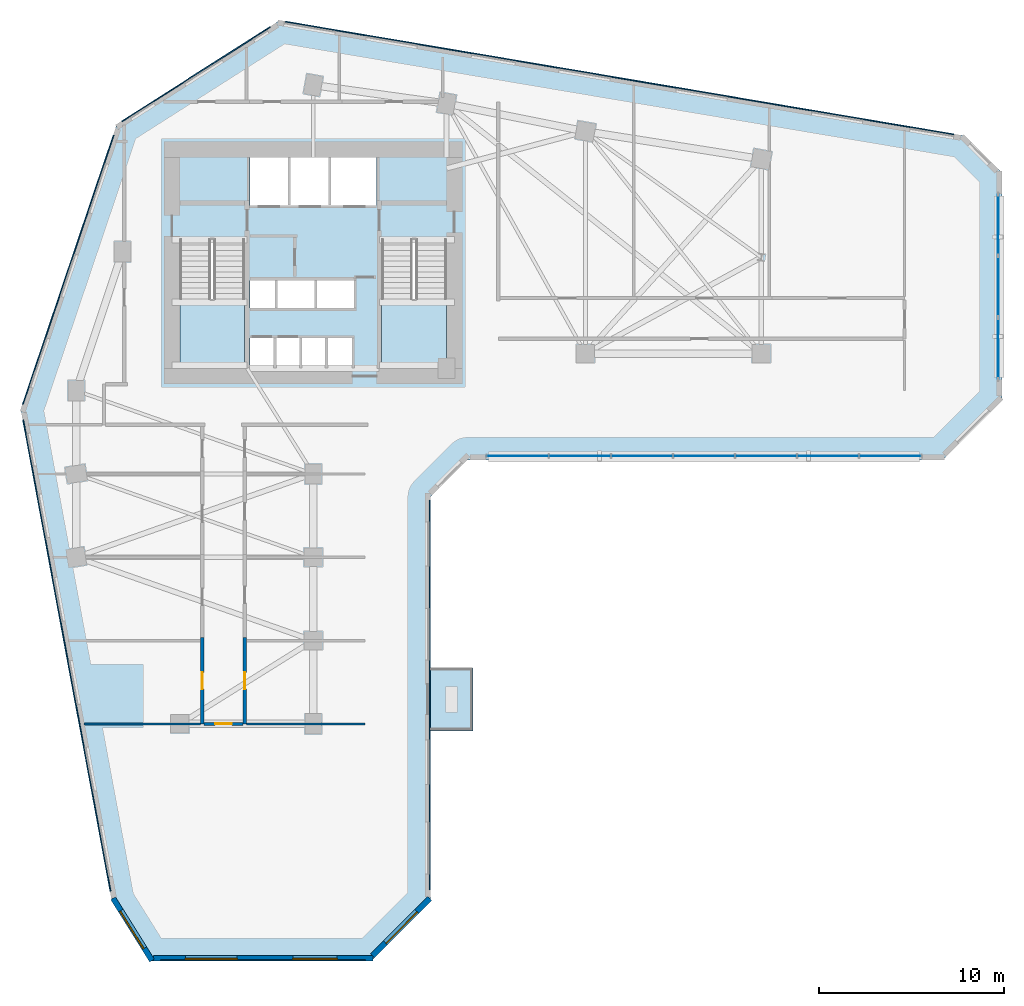
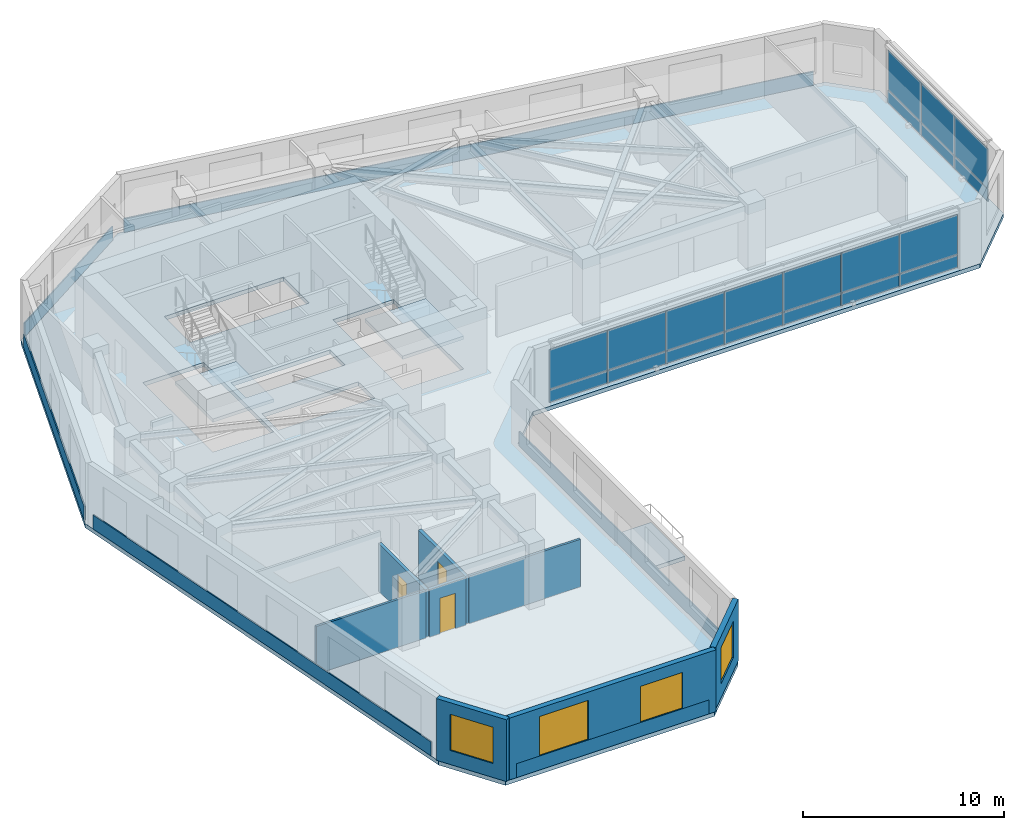
# One storey, part 5 of 12: 26 plates, 8 walls, 4 slabs, 4 windows, 3 doors, 7 openings, 4 elements without a shape of their own.
"""IFC4 building model written with IfcOpenShell, lengths in metres."""

from ifc_helpers import new_model, si_unit, direction, frame, frame_2d, origin, place, context, subcontext, project, spatial, polyline, rectangle, outline, extrude, source, transform, mapped, material, layer, layer_set, type_object, element, fill, aggregate, save


model = new_model("IFC4")

# Units and contexts
model_context = context("Model", 3, precision=1e-05, world=origin(), true_north=direction((0.0, 1.0)))
body_context = subcontext(model_context, "Body", "Model", "MODEL_VIEW")
ifc_project = project(units=[si_unit("LENGTHUNIT", "METRE"), si_unit("AREAUNIT", "SQUARE_METRE"), si_unit("VOLUMEUNIT", "CUBIC_METRE"), si_unit("PLANEANGLEUNIT", "RADIAN"), si_unit("MASSUNIT", "GRAM", prefix="KILO")], contexts=[model_context])

# Site, building, storey
site_placement = place(None, origin())
site = spatial("IfcSite", under=ifc_project, at=site_placement, CompositionType="ELEMENT")
building_placement = place(site_placement, origin())
building = spatial("IfcBuilding", under=site, at=building_placement, Name="Calvemar Wedge Station Tower", CompositionType="ELEMENT")
storey_placement = place(building_placement, frame((0.0, 0.0, 51.0)))
storey = spatial("IfcBuildingStorey", under=building, at=storey_placement, Name="L12", CompositionType="ELEMENT", Elevation=51.0)

# Curtain wall, plates
ifc_material_1 = material(Name="Anodised aluminium 6063-T6", Category="aluminium")
curtain_wall_type = type_object("IfcCurtainWallType", Name="CW1", PredefinedType="NOTDEFINED", material=ifc_material_1)
curtain_wall_1_placement = place(storey_placement, origin())
curtain_wall_1 = element("IfcCurtainWall", 1, at=curtain_wall_1_placement, inside=storey, type_object=curtain_wall_type, Name="Storey L12 CW1 Recessed Unitised Curtain Wall 6", PredefinedType="NOTDEFINED")
ifc_material_2 = material(Name="Low-E laminated insulated glass", Category="glass")
ifc_layer_1 = layer(ifc_material_2, 0.028076171875)
ifc_layer_set_1 = layer_set([ifc_layer_1], Name="Low-E laminated insulated glass")
plate_type_1 = type_object("IfcPlateType", Name="CW1-GLZ", PredefinedType="CURTAIN_PANEL", material=ifc_layer_set_1)
plate_1_placement = place(storey_placement, frame((33.183837890625, 29.469970703125, 0.8701171875), z_axis=(0.0, 0.0, 1.0), x_axis=(1.0, 0.0, 0.0)))
plate_1 = element("IfcPlate", 2, at=plate_1_placement, type_object=plate_type_1, Name="CW1 vision glass panel 1", PredefinedType="CURTAIN_PANEL", context=body_context, shape_type="SweptSolid", body=[
    extrude(rectangle(XDim=3.317138671875, YDim=0.028076171875, at=frame_2d((1.65869140625, 0.0))), origin(), (0.0, 0.0, 1.0), 2.409912109375),
])
plate_2_placement = place(storey_placement, frame((36.537109375, 29.469970703125, 0.8701171875), z_axis=(0.0, 0.0, 1.0), x_axis=(1.0, 0.0, 0.0)))
plate_2 = element("IfcPlate", 3, at=plate_2_placement, type_object=plate_type_1, Name="CW1 vision glass panel 2", PredefinedType="CURTAIN_PANEL", context=body_context, shape_type="SweptSolid", body=[
    extrude(rectangle(XDim=3.317138671875, YDim=0.028076171875, at=frame_2d((1.65869140625, 0.0))), origin(), (0.0, 0.0, 1.0), 2.409912109375),
])
plate_3_placement = place(storey_placement, frame((39.89013671875, 29.469970703125, 0.8701171875), z_axis=(0.0, 0.0, 1.0), x_axis=(1.0, 0.0, 0.0)))
plate_3 = element("IfcPlate", 4, at=plate_3_placement, type_object=plate_type_1, Name="CW1 vision glass panel 3", PredefinedType="CURTAIN_PANEL", context=body_context, shape_type="SweptSolid", body=[
    extrude(rectangle(XDim=3.317138671875, YDim=0.028076171875, at=frame_2d((1.65869140625, 0.0))), origin(), (0.0, 0.0, 1.0), 2.409912109375),
])
plate_4_placement = place(storey_placement, frame((43.243408203125, 29.469970703125, 0.8701171875), z_axis=(0.0, 0.0, 1.0), x_axis=(1.0, 0.0, 0.0)))
plate_4 = element("IfcPlate", 5, at=plate_4_placement, type_object=plate_type_1, Name="CW1 vision glass panel 4", PredefinedType="CURTAIN_PANEL", context=body_context, shape_type="SweptSolid", body=[
    extrude(rectangle(XDim=3.317138671875, YDim=0.028076171875, at=frame_2d((1.65869140625, 0.0))), origin(), (0.0, 0.0, 1.0), 2.409912109375),
])
plate_5_placement = place(storey_placement, frame((46.596435546875, 29.469970703125, 0.8701171875), z_axis=(0.0, 0.0, 1.0), x_axis=(1.0, 0.0, 0.0)))
plate_5 = element("IfcPlate", 6, at=plate_5_placement, type_object=plate_type_1, Name="CW1 vision glass panel 5", PredefinedType="CURTAIN_PANEL", context=body_context, shape_type="SweptSolid", body=[
    extrude(rectangle(XDim=3.317138671875, YDim=0.028076171875, at=frame_2d((1.65869140625, 0.0))), origin(), (0.0, 0.0, 1.0), 2.409912109375),
])
plate_6_placement = place(storey_placement, frame((49.94970703125, 29.469970703125, 0.8701171875), z_axis=(0.0, 0.0, 1.0), x_axis=(1.0, 0.0, 0.0)))
plate_6 = element("IfcPlate", 7, at=plate_6_placement, type_object=plate_type_1, Name="CW1 vision glass panel 6", PredefinedType="CURTAIN_PANEL", context=body_context, shape_type="SweptSolid", body=[
    extrude(rectangle(XDim=3.317138671875, YDim=0.028076171875, at=frame_2d((1.65869140625, 0.0))), origin(), (0.0, 0.0, 1.0), 2.409912109375),
])
plate_7_placement = place(storey_placement, frame((53.302734375, 29.469970703125, 0.8701171875), z_axis=(0.0, 0.0, 1.0), x_axis=(1.0, 0.0, 0.0)))
plate_7 = element("IfcPlate", 8, at=plate_7_placement, type_object=plate_type_1, Name="CW1 vision glass panel 7", PredefinedType="CURTAIN_PANEL", context=body_context, shape_type="SweptSolid", body=[
    extrude(rectangle(XDim=3.317138671875, YDim=0.028076171875, at=frame_2d((1.65869140625, 0.0))), origin(), (0.0, 0.0, 1.0), 2.409912109375),
])

curtain_wall_2_placement = place(storey_placement, origin())
curtain_wall_2 = element("IfcCurtainWall", 9, at=curtain_wall_2_placement, inside=storey, type_object=curtain_wall_type, Name="Storey L12 CW1 Recessed Unitised Curtain Wall 8", PredefinedType="NOTDEFINED")
plate_8_placement = place(storey_placement, frame((60.7900390625, 33.64013671875, 0.8701171875), z_axis=(0.0, 0.0, 1.0), x_axis=(0.0, 1.0, 0.0)))
plate_8 = element("IfcPlate", 10, at=plate_8_placement, type_object=plate_type_1, Name="CW1 vision glass panel 1", PredefinedType="CURTAIN_PANEL", context=body_context, shape_type="SweptSolid", body=[
    extrude(rectangle(XDim=3.289306640625, YDim=0.028076171875, at=frame_2d((1.64453125, 0.0))), origin(), (0.0, 0.0, 1.0), 2.409912109375),
])
plate_9_placement = place(storey_placement, frame((60.7900390625, 36.96533203125, 0.8701171875), z_axis=(0.0, 0.0, 1.0), x_axis=(0.0, 1.0, 0.0)))
plate_9 = element("IfcPlate", 11, at=plate_9_placement, type_object=plate_type_1, Name="CW1 vision glass panel 2", PredefinedType="CURTAIN_PANEL", context=body_context, shape_type="SweptSolid", body=[
    extrude(rectangle(XDim=3.289306640625, YDim=0.028076171875, at=frame_2d((1.64453125, 0.0))), origin(), (0.0, 0.0, 1.0), 2.409912109375),
])
plate_10_placement = place(storey_placement, frame((60.7900390625, 40.29052734375, 0.8701171875), z_axis=(0.0, 0.0, 1.0), x_axis=(0.0, 1.0, 0.0)))
plate_10 = element("IfcPlate", 12, at=plate_10_placement, type_object=plate_type_1, Name="CW1 vision glass panel 3", PredefinedType="CURTAIN_PANEL", context=body_context, shape_type="SweptSolid", body=[
    extrude(rectangle(XDim=3.289306640625, YDim=0.028076171875, at=frame_2d((1.64453125, 0.0))), origin(), (0.0, 0.0, 1.0), 2.409912109375),
])

# Plate
ifc_material_3 = material(Name="Oxidized bronze aluminium spandrel panel 5005-H24", Category="aluminium")
ifc_layer_2 = layer(ifc_material_3, 0.0400390625)
ifc_layer_set_2 = layer_set([ifc_layer_2], Name="Oxidized bronze aluminium spandrel panel 5005-H24")
plate_type_2 = type_object("IfcPlateType", Name="CW1-SPD", PredefinedType="SHEET", material=ifc_layer_set_2)
plate_11_placement = place(storey_placement, frame((33.183837890625, 29.469970703125, 0.080078125), z_axis=(0.0, 0.0, 1.0), x_axis=(1.0, 0.0, 0.0)))
plate_11 = element("IfcPlate", 13, at=plate_11_placement, type_object=plate_type_2, Name="CW1 bronze spandrel panel 1", PredefinedType="SHEET", context=body_context, shape_type="SweptSolid", body=[
    extrude(rectangle(XDim=3.317138671875, YDim=0.0400390625, at=frame_2d((1.65869140625, 0.0))), origin(), (0.0, 0.0, 1.0), 0.75),
])

plate_12_placement = place(storey_placement, frame((36.537109375, 29.469970703125, 0.080078125), z_axis=(0.0, 0.0, 1.0), x_axis=(1.0, 0.0, 0.0)))
plate_12 = element("IfcPlate", 14, at=plate_12_placement, type_object=plate_type_2, Name="CW1 bronze spandrel panel 2", PredefinedType="SHEET", context=body_context, shape_type="SweptSolid", body=[
    extrude(rectangle(XDim=3.317138671875, YDim=0.0400390625, at=frame_2d((1.65869140625, 0.0))), origin(), (0.0, 0.0, 1.0), 0.75),
])

plate_13_placement = place(storey_placement, frame((39.89013671875, 29.469970703125, 0.080078125), z_axis=(0.0, 0.0, 1.0), x_axis=(1.0, 0.0, 0.0)))
plate_13 = element("IfcPlate", 15, at=plate_13_placement, type_object=plate_type_2, Name="CW1 bronze spandrel panel 3", PredefinedType="SHEET", context=body_context, shape_type="SweptSolid", body=[
    extrude(rectangle(XDim=3.317138671875, YDim=0.0400390625, at=frame_2d((1.65869140625, 0.0))), origin(), (0.0, 0.0, 1.0), 0.75),
])

plate_14_placement = place(storey_placement, frame((43.243408203125, 29.469970703125, 0.080078125), z_axis=(0.0, 0.0, 1.0), x_axis=(1.0, 0.0, 0.0)))
plate_14 = element("IfcPlate", 16, at=plate_14_placement, type_object=plate_type_2, Name="CW1 bronze spandrel panel 4", PredefinedType="SHEET", context=body_context, shape_type="SweptSolid", body=[
    extrude(rectangle(XDim=3.317138671875, YDim=0.0400390625, at=frame_2d((1.65869140625, 0.0))), origin(), (0.0, 0.0, 1.0), 0.75),
])

plate_15_placement = place(storey_placement, frame((46.596435546875, 29.469970703125, 0.080078125), z_axis=(0.0, 0.0, 1.0), x_axis=(1.0, 0.0, 0.0)))
plate_15 = element("IfcPlate", 17, at=plate_15_placement, type_object=plate_type_2, Name="CW1 bronze spandrel panel 5", PredefinedType="SHEET", context=body_context, shape_type="SweptSolid", body=[
    extrude(rectangle(XDim=3.317138671875, YDim=0.0400390625, at=frame_2d((1.65869140625, 0.0))), origin(), (0.0, 0.0, 1.0), 0.75),
])

plate_16_placement = place(storey_placement, frame((49.94970703125, 29.469970703125, 0.080078125), z_axis=(0.0, 0.0, 1.0), x_axis=(1.0, 0.0, 0.0)))
plate_16 = element("IfcPlate", 18, at=plate_16_placement, type_object=plate_type_2, Name="CW1 bronze spandrel panel 6", PredefinedType="SHEET", context=body_context, shape_type="SweptSolid", body=[
    extrude(rectangle(XDim=3.317138671875, YDim=0.0400390625, at=frame_2d((1.65869140625, 0.0))), origin(), (0.0, 0.0, 1.0), 0.75),
])

plate_17_placement = place(storey_placement, frame((53.302734375, 29.469970703125, 0.080078125), z_axis=(0.0, 0.0, 1.0), x_axis=(1.0, 0.0, 0.0)))
plate_17 = element("IfcPlate", 19, at=plate_17_placement, type_object=plate_type_2, Name="CW1 bronze spandrel panel 7", PredefinedType="SHEET", context=body_context, shape_type="SweptSolid", body=[
    extrude(rectangle(XDim=3.317138671875, YDim=0.0400390625, at=frame_2d((1.65869140625, 0.0))), origin(), (0.0, 0.0, 1.0), 0.75),
])

aggregate(curtain_wall_1, [plate_11, plate_1, plate_12, plate_2, plate_13, plate_3, plate_14, plate_4, plate_15, plate_5, plate_16, plate_6, plate_17, plate_7])

plate_18_placement = place(storey_placement, frame((60.7900390625, 33.64013671875, 0.080078125), z_axis=(0.0, 0.0, 1.0), x_axis=(0.0, 1.0, 0.0)))
plate_18 = element("IfcPlate", 20, at=plate_18_placement, type_object=plate_type_2, Name="CW1 bronze spandrel panel 1", PredefinedType="SHEET", context=body_context, shape_type="SweptSolid", body=[
    extrude(rectangle(XDim=3.289306640625, YDim=0.0400390625, at=frame_2d((1.64453125, 0.0))), origin(), (0.0, 0.0, 1.0), 0.75),
])

plate_19_placement = place(storey_placement, frame((60.7900390625, 36.96533203125, 0.080078125), z_axis=(0.0, 0.0, 1.0), x_axis=(0.0, 1.0, 0.0)))
plate_19 = element("IfcPlate", 21, at=plate_19_placement, type_object=plate_type_2, Name="CW1 bronze spandrel panel 2", PredefinedType="SHEET", context=body_context, shape_type="SweptSolid", body=[
    extrude(rectangle(XDim=3.289306640625, YDim=0.0400390625, at=frame_2d((1.64453125, 0.0))), origin(), (0.0, 0.0, 1.0), 0.75),
])

plate_20_placement = place(storey_placement, frame((60.7900390625, 40.29052734375, 0.080078125), z_axis=(0.0, 0.0, 1.0), x_axis=(0.0, 1.0, 0.0)))
plate_20 = element("IfcPlate", 22, at=plate_20_placement, type_object=plate_type_2, Name="CW1 bronze spandrel panel 3", PredefinedType="SHEET", context=body_context, shape_type="SweptSolid", body=[
    extrude(rectangle(XDim=3.289306640625, YDim=0.0400390625, at=frame_2d((1.64453125, 0.0))), origin(), (0.0, 0.0, 1.0), 0.75),
])

aggregate(curtain_wall_2, [plate_18, plate_8, plate_19, plate_9, plate_20, plate_10])

# Plates
ifc_material_4 = material(Name="Precast concrete C45", Category="concrete")
ifc_layer_3 = layer(ifc_material_4, 0.06494140625)
ifc_layer_set_3 = layer_set([ifc_layer_3], Name="Precast concrete C45")
plate_type_3 = type_object("IfcPlateType", Name="PL-GFRC-FIN", PredefinedType="USERDEFINED", material=ifc_layer_set_3)
plate_21_placement = place(storey_placement, frame((15.57373046875, 2.22998046875, 0.0), z_axis=(0.0, 0.0, 1.0), x_axis=(1.0, 0.0, 0.0)))
element("IfcPlate", 23, at=plate_21_placement, inside=storey, type_object=plate_type_3, Name="Storey L12 Oxidized-Bronze GFRC Spandrel Cladding 2", ObjectType="CLADDING PANEL", PredefinedType="USERDEFINED", context=body_context, shape_type="SweptSolid", body=[
    extrude(rectangle(XDim=11.042236328125, YDim=0.06494140625, at=frame_2d((5.52099609375, 0.0))), origin(), (0.0, 0.0, 1.0), 0.85009765625),
])
plate_22_placement = place(storey_placement, frame((30.097900390625, 6.057373046875, 0.0), z_axis=(0.0, 0.0, 1.0), x_axis=(0.0, 1.0, 0.0)))
element("IfcPlate", 24, at=plate_22_placement, inside=storey, type_object=plate_type_3, Name="Storey L12 Oxidized-Bronze GFRC Spandrel Cladding 4", ObjectType="CLADDING PANEL", PredefinedType="USERDEFINED", context=body_context, shape_type="SweptSolid", body=[
    extrude(rectangle(XDim=21.0146484375, YDim=0.06494140625, at=frame_2d((10.50732421875, 0.0))), origin(), (0.0, 0.0, 1.0), 0.85009765625),
])
plate_23_placement = place(storey_placement, frame((58.38623046875, 46.8330078125, 0.0), z_axis=(0.0, 0.0, 1.0), x_axis=(-0.98607512962, 0.16630044722, 0.0)))
element("IfcPlate", 25, at=plate_23_placement, inside=storey, type_object=plate_type_3, Name="Storey L12 Oxidized-Bronze GFRC Spandrel Cladding 10", ObjectType="CLADDING PANEL", PredefinedType="USERDEFINED", context=body_context, shape_type="SweptSolid", body=[
    extrude(rectangle(XDim=36.597412109375, YDim=0.06494140625, at=frame_2d((18.298828125, 0.0))), origin(), (0.0, 0.0, 1.0), 0.85009765625),
])
plate_24_placement = place(storey_placement, frame((21.47314453125, 52.62939453125, 0.0), z_axis=(0.0, 0.0, 1.0), x_axis=(-0.843651948102, -0.536890482747, 0.0)))
element("IfcPlate", 26, at=plate_24_placement, inside=storey, type_object=plate_type_3, Name="Storey L12 Oxidized-Bronze GFRC Spandrel Cladding 11", ObjectType="CLADDING PANEL", PredefinedType="USERDEFINED", context=body_context, shape_type="SweptSolid", body=[
    extrude(rectangle(XDim=9.484375, YDim=0.06494140625, at=frame_2d((4.7421875, 0.0))), origin(), (0.0, 0.0, 1.0), 0.85009765625),
])
plate_25_placement = place(storey_placement, frame((13.02685546875, 46.793212890625, 0.0), z_axis=(0.0, 0.0, 1.0), x_axis=(-0.319926926958, -0.947442220617, 0.0)))
element("IfcPlate", 27, at=plate_25_placement, inside=storey, type_object=plate_type_3, Name="Storey L12 Oxidized-Bronze GFRC Spandrel Cladding 12", ObjectType="CLADDING PANEL", PredefinedType="USERDEFINED", context=body_context, shape_type="SweptSolid", body=[
    extrude(rectangle(XDim=15.334716796875, YDim=0.06494140625, at=frame_2d((7.66748046875, 0.0))), origin(), (0.0, 0.0, 1.0), 0.85009765625),
])
plate_26_placement = place(storey_placement, frame((8.13818359375, 31.41845703125, 0.0), z_axis=(0.0, 0.0, 1.0), x_axis=(0.182161215884, -0.983268677131, 0.0)))
element("IfcPlate", 28, at=plate_26_placement, inside=storey, type_object=plate_type_3, Name="Storey L12 Oxidized-Bronze GFRC Spandrel Cladding 13", ObjectType="CLADDING PANEL", PredefinedType="USERDEFINED", context=body_context, shape_type="SweptSolid", body=[
    extrude(rectangle(XDim=25.87890625, YDim=0.06494140625, at=frame_2d((12.939453125, 0.0))), origin(), (0.0, 0.0, 1.0), 0.85009765625),
])

# Stair, slab
ifc_material_5 = material(Name="Concrete C45", Category="concrete")
stair_type = type_object("IfcStairType", Name="ST-TYPE-4000", PredefinedType="HALF_TURN_STAIR", material=ifc_material_5)
stair_1_placement = place(storey_placement, origin())
stair_1 = element("IfcStair", 29, at=stair_1_placement, inside=storey, type_object=stair_type, Name="L12 Pressurized Core Exit Stair ST-C1", PredefinedType="HALF_TURN_STAIR")
ifc_layer_4 = layer(ifc_material_5, 0.199951171875)
ifc_layer_set_4 = layer_set([ifc_layer_4], Name="Concrete C45")
slab_type_1 = type_object("IfcSlabType", Name="SL-STAIR-LND-200", PredefinedType="LANDING", material=ifc_layer_set_4)
slab_1_placement = place(storey_placement, frame((0.0, 0.0, 1.800048828125)))
slab_1 = element("IfcSlab", 30, at=slab_1_placement, type_object=slab_type_1, Name="ST-C1 landing 1", PredefinedType="LANDING", context=body_context, shape_type="SweptSolid", body=[
    extrude(outline(polyline([(16.60009765625, 37.9599609375), (16.60009765625, 34.199951171875), (20.10009765625, 34.199951171875), (20.10009765625, 37.9599609375), (16.60009765625, 37.9599609375)])), origin(), (0.0, 0.0, 1.0), 0.199951171875),
])
aggregate(stair_1, [slab_1])

stair_2_placement = place(storey_placement, origin())
stair_2 = element("IfcStair", 31, at=stair_2_placement, inside=storey, type_object=stair_type, Name="L12 Pressurized Core Exit Stair ST-C2", PredefinedType="HALF_TURN_STAIR")
slab_2_placement = place(storey_placement, frame((0.0, 0.0, 1.800048828125)))
slab_2 = element("IfcSlab", 32, at=slab_2_placement, type_object=slab_type_1, Name="ST-C2 landing 1", PredefinedType="LANDING", context=body_context, shape_type="SweptSolid", body=[
    extrude(outline(polyline([(27.5, 37.9599609375), (27.5, 34.199951171875), (31.0, 34.199951171875), (31.0, 37.9599609375), (27.5, 37.9599609375)])), origin(), (0.0, 0.0, 1.0), 0.199951171875),
])
aggregate(stair_2, [slab_2])

# Slabs
ifc_layer_5 = layer(ifc_material_5, 0.239990234375)
ifc_layer_set_5 = layer_set([ifc_layer_5], Name="Concrete C45")
slab_type_2 = type_object("IfcSlabType", Name="SL-TERR-240", PredefinedType="FLOOR", material=ifc_layer_set_5)
slab_3_placement = place(storey_placement, frame((0.0, 0.0, -0.239990234375)))
element("IfcSlab", 33, at=slab_3_placement, inside=storey, type_object=slab_type_2, Name="Storey L12 Planted Spiral Terrace Slab", PredefinedType="FLOOR", context=body_context, shape_type="SweptSolid", body=[
    extrude(outline(polyline([(30.1279296875, 14.6298828125), (32.427978515625, 14.6298828125), (32.427978515625, 18.030029296875), (30.1279296875, 18.030029296875), (30.1279296875, 14.6298828125)])), origin(), (0.0, 0.0, 1.0), 0.239990234375),
])
ifc_material_6 = material(Name="Concrete C50", Category="concrete")
ifc_layer_6 = layer(ifc_material_6, 0.25)
ifc_layer_set_6 = layer_set([ifc_layer_6], Name="Concrete C50")
slab_type_3 = type_object("IfcSlabType", Name="SL-TYP-250", PredefinedType="FLOOR", material=ifc_layer_set_6)
slab_4_placement = place(storey_placement, frame((0.0, 0.0, -0.25)))
element("IfcSlab", 34, at=slab_4_placement, inside=storey, type_object=slab_type_3, Name="Storey L12 Structural Floor Slab", PredefinedType="FLOOR", context=body_context, shape_type="SweptSolid", body=[
    extrude(outline(polyline([(8.0, 32.0), (12.927978515625, 5.39990234375), (14.927978515625, 2.199951171875), (26.927978515625, 2.199951171875), (30.1279296875, 5.39990234375), (30.1279296875, 27.260009765625), (32.1279296875, 29.260009765625), (57.800048828125, 29.260009765625), (61.0, 32.4599609375), (61.0, 44.760009765625), (59.0, 46.760009765625), (22.0, 53.0), (13.199951171875, 47.39990234375), (8.0, 32.0)]), holes=[polyline([(21.739990234375, 35.85009765625), (21.72998046875, 35.85009765625), (20.3798828125, 35.85009765625), (20.3798828125, 34.219970703125), (21.72998046875, 34.219970703125), (21.739990234375, 34.219970703125), (23.1201171875, 34.219970703125), (23.1298828125, 34.219970703125), (24.510009765625, 34.219970703125), (24.52001953125, 34.219970703125), (25.909912109375, 34.219970703125), (25.909912109375, 35.85009765625), (24.52001953125, 35.85009765625), (24.510009765625, 35.85009765625), (23.1298828125, 35.85009765625), (23.1201171875, 35.85009765625), (21.739990234375, 35.85009765625)]), polyline([(16.60009765625, 41.14990234375), (16.60009765625, 34.199951171875), (20.10009765625, 34.199951171875), (20.10009765625, 41.14990234375), (16.60009765625, 41.14990234375)]), polyline([(27.5, 34.199951171875), (31.0, 34.199951171875), (31.0, 41.14990234375), (27.5, 41.14990234375), (27.5, 34.199951171875)]), polyline([(21.7900390625, 37.449951171875), (21.800048828125, 37.449951171875), (23.929931640625, 37.449951171875), (23.93994140625, 37.449951171875), (26.080078125, 37.449951171875), (26.080078125, 38.949951171875), (23.93994140625, 38.949951171875), (23.929931640625, 38.949951171875), (21.800048828125, 38.949951171875), (21.7900390625, 38.949951171875), (20.3798828125, 38.949951171875), (20.3798828125, 37.449951171875), (21.7900390625, 37.449951171875)]), polyline([(20.3798828125, 43.0), (27.219970703125, 43.0), (27.219970703125, 45.580078125), (20.3798828125, 45.580078125), (20.3798828125, 43.0)])]), origin(), (0.0, 0.0, 1.0), 0.25),
])

# Wall, opening, door
ifc_material_7 = material(Name="Double-stud fire-rated corridor partition")
ifc_layer_7 = layer(ifc_material_7, 0.179931640625)
ifc_layer_set_7 = layer_set([ifc_layer_7], Name="Double-stud fire-rated corridor partition")
wall_type_1 = type_object("IfcWallType", Name="W-CORR-180", PredefinedType="PARTITIONING", material=ifc_layer_set_7)
wall_1_placement = place(storey_placement, frame((17.800048828125, 15.0, 0.0), z_axis=(0.0, 0.0, 1.0), x_axis=(0.0, 1.0, 0.0)))
wall_1 = element("IfcWall", 35, at=wall_1_placement, inside=storey, type_object=wall_type_1, Name="Storey L12 Interior Partition WL-L12-027", PredefinedType="PARTITIONING", context=body_context, shape_type="SweptSolid", body=[
    extrude(rectangle(XDim=4.659912109375, YDim=0.179931640625, at=frame_2d((2.330078125, 0.0))), origin(), (0.0, 0.0, 1.0), 2.89208984375),
])
shared_shape_1 = source(origin(), body_context, "Body", "SweptSolid", [
    extrude(rectangle(XDim=0.89990234375, YDim=2.14990234375, at=frame_2d((0.449951171875, 1.074951171875))), frame((0.0, 0.10009765625, 0.0), z_axis=(0.0, -1.0, 0.0), x_axis=(1.0, 0.0, 0.0)), (0.0, 0.0, 1.0), 0.199951171875),
])
opening_1_placement = place(wall_1_placement, frame((1.8798828125, 0.0, 0.0)))
opening_1 = element("IfcOpeningElement", 36, at=opening_1_placement, cuts=wall_1, Name="Opening D-01", PredefinedType="OPENING", context=body_context, shape_type="MappedRepresentation", body=[
    mapped(shared_shape_1, transform((0.0, 0.0, 0.0), scale=1.0)),
])
ifc_material_8 = material(Name="Architectural hardwood acoustic swing door", Category="wood")
door_type = type_object("IfcDoorType", Name="DR-INT-900", OperationType="NOTDEFINED", PredefinedType="DOOR", material=ifc_material_8)
shared_shape_2 = source(origin(), body_context, "Body", "SweptSolid", [
    extrude(rectangle(XDim=0.89990234375, YDim=2.14990234375, at=frame_2d((0.449951171875, 1.074951171875))), frame((0.0, 0.02490234375, 0.0), z_axis=(0.0, -1.0, 0.0), x_axis=(1.0, 0.0, 0.0)), (0.0, 0.0, 1.0), 0.050048828125),
])
door_1_placement = place(opening_1_placement, origin())
door_1 = element("IfcDoor", 37, at=door_1_placement, inside=storey, type_object=door_type, Name="L12 Office Door", OperationType="SINGLE_SWING_RIGHT", OverallHeight=2.14990234375, OverallWidth=0.89990234375, PredefinedType="DOOR", context=body_context, shape_type="MappedRepresentation", body=[
    mapped(shared_shape_2, transform((0.0, 0.0, 0.0), scale=1.0)),
])
fill(opening_1, door_1)

wall_2_placement = place(storey_placement, frame((20.10009765625, 19.659912109375, 0.0), z_axis=(0.0, 0.0, 1.0), x_axis=(0.0, -1.0, 0.0)))
wall_2 = element("IfcWall", 38, at=wall_2_placement, inside=storey, type_object=wall_type_1, Name="Storey L12 Interior Partition WL-L12-028", PredefinedType="PARTITIONING", context=body_context, shape_type="SweptSolid", body=[
    extrude(rectangle(XDim=4.659912109375, YDim=0.179931640625, at=frame_2d((2.330078125, 0.0))), origin(), (0.0, 0.0, 1.0), 2.89208984375),
])
opening_2_placement = place(wall_2_placement, frame((1.8798828125, 0.0, 0.0)))
opening_2 = element("IfcOpeningElement", 39, at=opening_2_placement, cuts=wall_2, Name="Opening D-01", PredefinedType="OPENING", context=body_context, shape_type="MappedRepresentation", body=[
    mapped(shared_shape_1, transform((0.0, 0.0, 0.0), scale=1.0)),
])
door_2_placement = place(opening_2_placement, origin())
door_2 = element("IfcDoor", 40, at=door_2_placement, inside=storey, type_object=door_type, Name="L12 Meeting Room Door", OperationType="SINGLE_SWING_LEFT", OverallHeight=2.14990234375, OverallWidth=0.89990234375, PredefinedType="DOOR", context=body_context, shape_type="MappedRepresentation", body=[
    mapped(shared_shape_2, transform((0.0, 0.0, 0.0), scale=1.0)),
])
fill(opening_2, door_2)

wall_3_placement = place(storey_placement, frame((20.006103515625, 15.0, 0.0), z_axis=(0.0, 0.0, 1.0), x_axis=(-1.0, 0.0, 0.0)))
wall_3 = element("IfcWall", 41, at=wall_3_placement, inside=storey, type_object=wall_type_1, Name="Storey L12 Interior Partition WL-L12-035", PredefinedType="PARTITIONING", context=body_context, shape_type="SweptSolid", body=[
    extrude(rectangle(XDim=2.112060546875, YDim=0.179931640625, at=frame_2d((1.05615234375, 0.0))), origin(), (0.0, 0.0, 1.0), 2.89208984375),
])
opening_3_placement = place(wall_3_placement, frame((0.60595703125, 0.0, 0.0)))
opening_3 = element("IfcOpeningElement", 42, at=opening_3_placement, cuts=wall_3, Name="Opening D-01", PredefinedType="OPENING", context=body_context, shape_type="MappedRepresentation", body=[
    mapped(shared_shape_1, transform((0.0, 0.0, 0.0), scale=1.0)),
])
door_3_placement = place(opening_3_placement, origin())
door_3 = element("IfcDoor", 43, at=door_3_placement, inside=storey, type_object=door_type, Name="L12 Co-Working Studio Door", OperationType="SINGLE_SWING_RIGHT", OverallHeight=2.14990234375, OverallWidth=0.89990234375, PredefinedType="DOOR", context=body_context, shape_type="MappedRepresentation", body=[
    mapped(shared_shape_2, transform((0.0, 0.0, 0.0), scale=1.0)),
])
fill(opening_3, door_3)

# Wall, opening, window
ifc_layer_8 = layer(ifc_material_4, 0.300048828125)
ifc_layer_set_8 = layer_set([ifc_layer_8], Name="Precast concrete C45")
wall_type_2 = type_object("IfcWallType", Name="W-EXT-GFRC-300", PredefinedType="SOLIDWALL", material=ifc_layer_set_8)
wall_4_placement = place(storey_placement, frame((12.99072265625, 5.58251953125, 0.0), z_axis=(0.0, 0.0, 1.0), x_axis=(0.530015557218, -0.847987918019, 0.0)))
wall_4 = element("IfcWall", 44, at=wall_4_placement, inside=storey, type_object=wall_type_2, Name="Storey L12 Bronze GFRC Exterior Wall 1", PredefinedType="SOLIDWALL", context=body_context, shape_type="SweptSolid", body=[
    extrude(rectangle(XDim=3.9619140625, YDim=0.300048828125, at=frame_2d((1.98095703125, 0.0))), origin(), (0.0, 0.0, 1.0), 3.75),
])
shared_shape_3 = source(origin(), body_context, "Body", "SweptSolid", [
    extrude(rectangle(XDim=2.39990234375, YDim=2.199951171875, at=frame_2d((1.199951171875, 1.10009765625))), frame((0.0, 0.16015625, 0.0), z_axis=(0.0, -1.0, 0.0), x_axis=(1.0, 0.0, 0.0)), (0.0, 0.0, 1.0), 0.320068359375),
])
opening_4_placement = place(wall_4_placement, frame((0.781005859375, 0.0, 0.85009765625)))
opening_4 = element("IfcOpeningElement", 45, at=opening_4_placement, cuts=wall_4, Name="Opening W1", PredefinedType="OPENING", context=body_context, shape_type="MappedRepresentation", body=[
    mapped(shared_shape_3, transform((0.0, 0.0, 0.0), scale=1.0)),
])
window_type_1 = type_object("IfcWindowType", Name="WIN-EXT-1", PartitioningType="SINGLE_PANEL", PredefinedType="WINDOW", material=ifc_material_2)
shared_shape_4 = source(origin(), body_context, "Body", "SweptSolid", [
    extrude(rectangle(XDim=2.39990234375, YDim=2.199951171875, at=frame_2d((1.199951171875, 1.10009765625))), frame((0.0, -0.014892578125, 0.0), z_axis=(0.0, -1.0, 0.0), x_axis=(1.0, 0.0, 0.0)), (0.0, 0.0, 1.0), 0.06005859375),
])
window_1_placement = place(opening_4_placement, origin())
window_1 = element("IfcWindow", 46, at=window_1_placement, inside=storey, type_object=window_type_1, Name="Storey L12 Recessed Window 1.1", OverallHeight=2.199951171875, OverallWidth=2.39990234375, PartitioningType="SINGLE_PANEL", PredefinedType="WINDOW", context=body_context, shape_type="MappedRepresentation", body=[
    mapped(shared_shape_4, transform((0.0, 0.0, 0.0), scale=1.0)),
])
fill(opening_4, window_1)

# Wall, openings, windows
wall_5_placement = place(storey_placement, frame((15.173828125, 2.35009765625, 0.0), z_axis=(0.0, 0.0, 1.0), x_axis=(1.0, 0.0, 0.0)))
wall_5 = element("IfcWall", 47, at=wall_5_placement, inside=storey, type_object=wall_type_2, Name="Storey L12 Bronze GFRC Exterior Wall 2", PredefinedType="SOLIDWALL", context=body_context, shape_type="SweptSolid", body=[
    extrude(rectangle(XDim=11.842041015625, YDim=0.300048828125, at=frame_2d((5.9208984375, 0.0))), origin(), (0.0, 0.0, 1.0), 3.75),
])
shared_shape_5 = source(origin(), body_context, "Body", "SweptSolid", [
    extrude(rectangle(XDim=2.800048828125, YDim=2.39990234375, at=frame_2d((1.39990234375, 1.199951171875))), frame((0.0, 0.16015625, 0.0), z_axis=(0.0, -1.0, 0.0), x_axis=(1.0, 0.0, 0.0)), (0.0, 0.0, 1.0), 0.320068359375),
])
opening_5_placement = place(wall_5_placement, frame((1.720947265625, 0.0, 0.85009765625)))
opening_5 = element("IfcOpeningElement", 48, at=opening_5_placement, cuts=wall_5, Name="Opening W6", PredefinedType="OPENING", context=body_context, shape_type="MappedRepresentation", body=[
    mapped(shared_shape_5, transform((0.0, 0.0, 0.0), scale=1.0)),
])
opening_6_placement = place(wall_5_placement, frame((7.52197265625, 0.0, 0.85009765625)))
opening_6 = element("IfcOpeningElement", 49, at=opening_6_placement, cuts=wall_5, Name="Opening W1", PredefinedType="OPENING", context=body_context, shape_type="MappedRepresentation", body=[
    mapped(shared_shape_3, transform((0.0, 0.0, 0.0), scale=1.0)),
])
window_type_2 = type_object("IfcWindowType", Name="WIN-EXT-6", PartitioningType="SINGLE_PANEL", PredefinedType="WINDOW", material=ifc_material_2)
shared_shape_6 = source(origin(), body_context, "Body", "SweptSolid", [
    extrude(rectangle(XDim=2.800048828125, YDim=2.39990234375, at=frame_2d((1.39990234375, 1.199951171875))), frame((0.0, -0.014892578125, 0.0), z_axis=(0.0, -1.0, 0.0), x_axis=(1.0, 0.0, 0.0)), (0.0, 0.0, 1.0), 0.06005859375),
])
window_2_placement = place(opening_5_placement, origin())
window_2 = element("IfcWindow", 50, at=window_2_placement, inside=storey, type_object=window_type_2, Name="Storey L12 Recessed Window 2.1", OverallHeight=2.39990234375, OverallWidth=2.800048828125, PartitioningType="SINGLE_PANEL", PredefinedType="WINDOW", context=body_context, shape_type="MappedRepresentation", body=[
    mapped(shared_shape_6, transform((0.0, 0.0, 0.0), scale=1.0)),
])
fill(opening_5, window_2)
window_3_placement = place(opening_6_placement, origin())
window_3 = element("IfcWindow", 51, at=window_3_placement, inside=storey, type_object=window_type_1, Name="Storey L12 Recessed Window 2.2", OverallHeight=2.199951171875, OverallWidth=2.39990234375, PartitioningType="SINGLE_PANEL", PredefinedType="WINDOW", context=body_context, shape_type="MappedRepresentation", body=[
    mapped(shared_shape_4, transform((0.0, 0.0, 0.0), scale=1.0)),
])
fill(opening_6, window_3)

# Wall, opening, window
wall_6_placement = place(storey_placement, frame((27.00390625, 2.488037109375, 0.0), z_axis=(0.0, 0.0, 1.0), x_axis=(0.707106781187, 0.707106781187, 0.0)))
wall_6 = element("IfcWall", 52, at=wall_6_placement, inside=storey, type_object=wall_type_2, Name="Storey L12 Bronze GFRC Exterior Wall 3", PredefinedType="SOLIDWALL", context=body_context, shape_type="SweptSolid", body=[
    extrude(rectangle(XDim=4.35595703125, YDim=0.300048828125, at=frame_2d((2.177978515625, 0.0))), origin(), (0.0, 0.0, 1.0), 3.75),
])
opening_7_placement = place(wall_6_placement, frame((0.97802734375, 0.0, 0.85009765625)))
opening_7 = element("IfcOpeningElement", 53, at=opening_7_placement, cuts=wall_6, Name="Opening W1", PredefinedType="OPENING", context=body_context, shape_type="MappedRepresentation", body=[
    mapped(shared_shape_3, transform((0.0, 0.0, 0.0), scale=1.0)),
])
window_4_placement = place(opening_7_placement, origin())
window_4 = element("IfcWindow", 54, at=window_4_placement, inside=storey, type_object=window_type_1, Name="Storey L12 Recessed Window 3.1", OverallHeight=2.199951171875, OverallWidth=2.39990234375, PartitioningType="SINGLE_PANEL", PredefinedType="WINDOW", context=body_context, shape_type="MappedRepresentation", body=[
    mapped(shared_shape_4, transform((0.0, 0.0, 0.0), scale=1.0)),
])
fill(opening_7, window_4)

# Walls
ifc_material_9 = material(Name="Insulated acoustic gypsum stud partition")
ifc_layer_9 = layer(ifc_material_9, 0.125)
ifc_layer_set_9 = layer_set([ifc_layer_9], Name="Insulated acoustic gypsum stud partition")
wall_type_3 = type_object("IfcWallType", Name="W-PART-125", PredefinedType="PARTITIONING", material=ifc_layer_set_9)
wall_7_placement = place(storey_placement, frame((17.7060546875, 15.0, 0.0), z_axis=(0.0, 0.0, 1.0), x_axis=(-1.0, 0.0, 0.0)))
element("IfcWall", 55, at=wall_7_placement, inside=storey, type_object=wall_type_3, Name="Storey L12 Interior Partition WL-L12-037", PredefinedType="PARTITIONING", context=body_context, shape_type="SweptSolid", body=[
    extrude(rectangle(XDim=6.287109375, YDim=0.125, at=frame_2d((3.1435546875, 0.0))), origin(), (0.0, 0.0, 1.0), 2.89208984375),
])
wall_8_placement = place(storey_placement, frame((26.60009765625, 15.0, 0.0), z_axis=(0.0, 0.0, 1.0), x_axis=(-1.0, 0.0, 0.0)))
element("IfcWall", 56, at=wall_8_placement, inside=storey, type_object=wall_type_3, Name="Storey L12 Interior Partition WL-L12-039", PredefinedType="PARTITIONING", context=body_context, shape_type="SweptSolid", body=[
    extrude(rectangle(XDim=6.406005859375, YDim=0.125, at=frame_2d((3.203125, 0.0))), origin(), (0.0, 0.0, 1.0), 2.89208984375),
])

save(model, "model.ifc")
